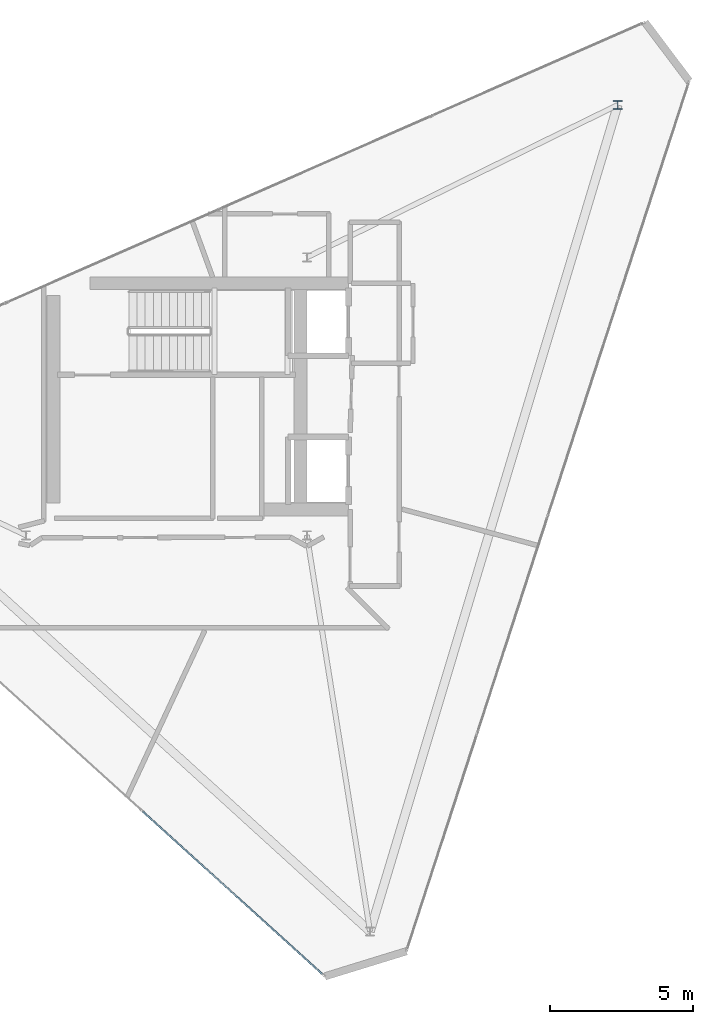
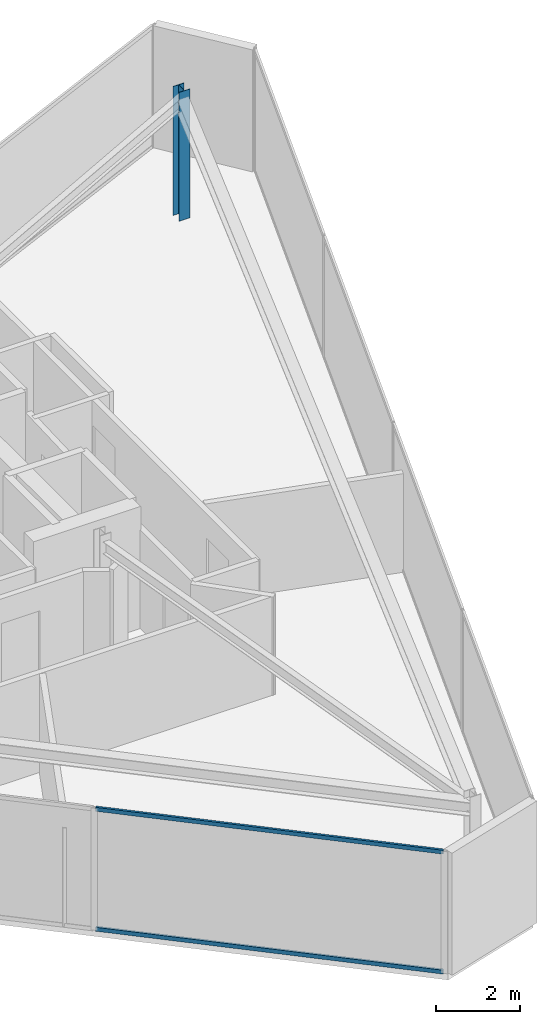
# One storey, part 2 of 14: 2 members, 1 column, 1 element without a shape of its own.
"""IFC4 building model written with IfcOpenShell, lengths in metres."""

from ifc_helpers import new_model, si_unit, direction, frame, origin, origin_2d, place, context, subcontext, project, spatial, hollow_rectangle, i_section, extrude, material, layer, layer_set, material_profile, profile_set, type_object, element, aggregate, save


model = new_model("IFC4")

# Units and contexts
model_context = context("Model", 3, precision=1e-05, world=origin(), true_north=direction((0.0, 1.0)))
body_context = subcontext(model_context, "Body", "Model", "MODEL_VIEW")
ifc_project = project(units=[si_unit("LENGTHUNIT", "METRE"), si_unit("AREAUNIT", "SQUARE_METRE"), si_unit("VOLUMEUNIT", "CUBIC_METRE"), si_unit("PLANEANGLEUNIT", "RADIAN"), si_unit("MASSUNIT", "GRAM", prefix="KILO")], contexts=[model_context])

# Site, building, storey
site_placement = place(None, origin())
site = spatial("IfcSite", under=ifc_project, at=site_placement, CompositionType="ELEMENT")
building_placement = place(site_placement, origin())
building = spatial("IfcBuilding", under=site, at=building_placement, Name="Qianvela Tower", CompositionType="ELEMENT")
storey_placement = place(building_placement, frame((0.0, 0.0, 371.300048828125)))
storey = spatial("IfcBuildingStorey", under=building, at=storey_placement, Name="L96", CompositionType="ELEMENT", Elevation=371.300048828125)

# Column
ifc_material_1 = material(Name="Steel Q355B", Category="steel")
ifc_material_profile_1 = material_profile(ifc_material_1, i_section(OverallWidth=0.300048828125, OverallDepth=0.300048828125, WebThickness=0.010009765625, FlangeThickness=0.014892578125, at=origin_2d()), Name="HW300x300x10x15")
ifc_profile_set_1 = profile_set([ifc_material_profile_1], Name="Steel Q355B")
column_type = type_object("IfcColumnType", Name="COL-HW-300", PredefinedType="COLUMN", material=ifc_profile_set_1)
column_placement = place(storey_placement, frame((49.248046875, 38.866943359375, 0.0), z_axis=(0.0, 0.0, 1.0), x_axis=(1.0, 0.0, 0.0)))
element("IfcColumn", 1, at=column_placement, inside=storey, type_object=column_type, Name="L96 Crown Frame Column CR1", PredefinedType="COLUMN", context=body_context, shape_type="SweptSolid", body=[
    extrude(i_section(OverallWidth=0.300048828125, OverallDepth=0.300048828125, WebThickness=0.010009765625, FlangeThickness=0.014892578125, at=origin_2d()), origin(), (0.0, 0.0, 1.0), 3.75),
])

# Curtain wall, members
ifc_material_2 = material(Name="Anodised Architectural Aluminium and Low-E Glass", Category="aluminium")
ifc_layer = layer(ifc_material_2, 0.159912109375)
ifc_layer_set = layer_set([ifc_layer], Name="Anodised Architectural Aluminium and Low-E Glass")
curtain_wall_type = type_object("IfcCurtainWallType", Name="CW-CROWN", PredefinedType="USERDEFINED", material=ifc_layer_set)
curtain_wall_placement = place(storey_placement, origin())
curtain_wall = element("IfcCurtainWall", 2, at=curtain_wall_placement, inside=storey, type_object=curtain_wall_type, Name="L96 CW-CROWN Curtain Wall 04", ObjectType="CURTAIN_WALL_SYSTEM", PredefinedType="USERDEFINED")
ifc_material_3 = material(Name="Anodised Architectural Aluminium 6063-T6", Category="aluminium")
ifc_material_profile_2 = material_profile(ifc_material_3, hollow_rectangle(XDim=0.06005859375, YDim=0.114990234375, WallThickness=0.00390625, at=origin_2d()), Name="ALU-TRAN-60x115")
ifc_profile_set_2 = profile_set([ifc_material_profile_2], Name="Anodised Architectural Aluminium 6063-T6")
member_type = type_object("IfcMemberType", Name="CW-CROWN-TRAN", PredefinedType="USERDEFINED", material=ifc_profile_set_2)
member_1_placement = place(storey_placement, frame((32.66259765625, 14.22314453125, 0.030029296875), z_axis=(0.741279816287, -0.671196121835, 0.0), x_axis=(0.671196121835, 0.741279816287, 0.0)))
member_1 = element("IfcMember", 3, at=member_1_placement, type_object=member_type, Name="CW-8 transom 3.1", ObjectType="TRANSOM", PredefinedType="USERDEFINED", context=body_context, shape_type="SweptSolid", body=[
    extrude(hollow_rectangle(XDim=0.06005859375, YDim=0.114990234375, WallThickness=0.00390625, at=origin_2d()), origin(), (0.0, 0.0, 1.0), 8.4755859375),
])
member_2_placement = place(storey_placement, frame((32.66259765625, 14.22314453125, 3.52001953125), z_axis=(0.741279816287, -0.671196121835, 0.0), x_axis=(0.671196121835, 0.741279816287, 0.0)))
member_2 = element("IfcMember", 4, at=member_2_placement, type_object=member_type, Name="CW-8 transom 3.2", ObjectType="TRANSOM", PredefinedType="USERDEFINED", context=body_context, shape_type="SweptSolid", body=[
    extrude(hollow_rectangle(XDim=0.06005859375, YDim=0.114990234375, WallThickness=0.00390625, at=origin_2d()), origin(), (0.0, 0.0, 1.0), 8.4755859375),
])
aggregate(curtain_wall, [member_1, member_2])

save(model, "model.ifc")
